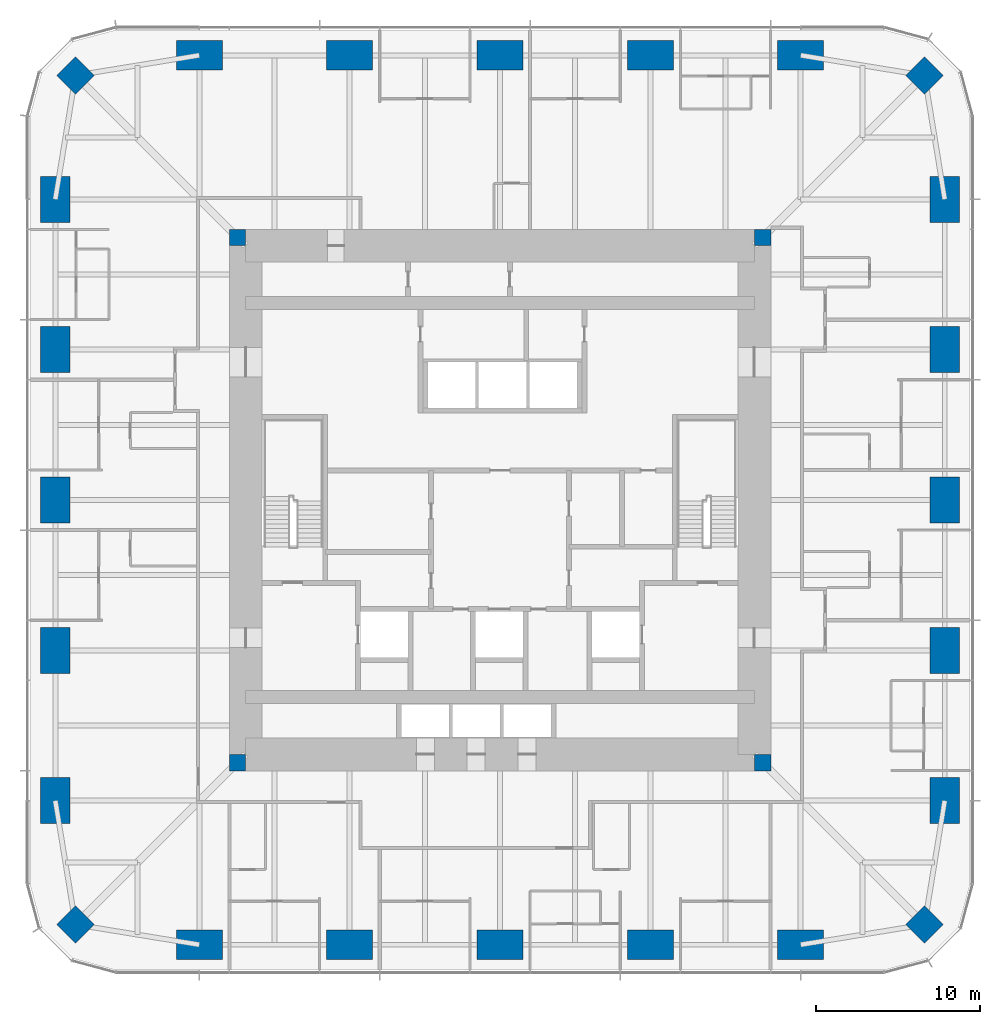
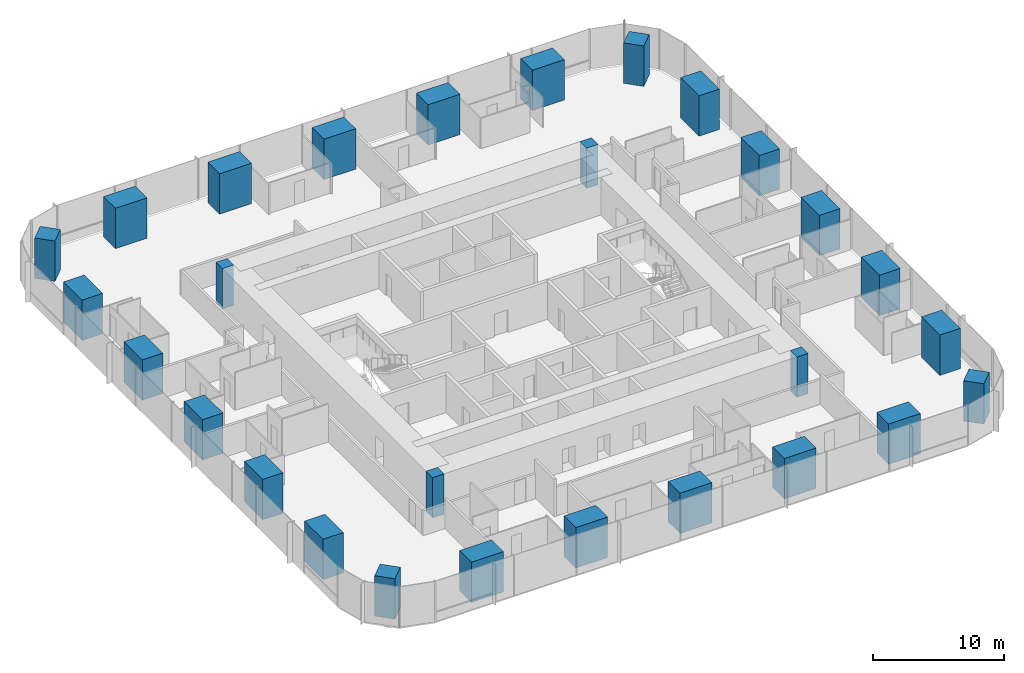
# One storey, part 1 of 13: 28 columns.
"""IFC4 building model written with IfcOpenShell, lengths in metres."""

import ifcopenshell
import ifcopenshell.guid

model = None  # the IFC model being written
_history = None  # IfcOwnerHistory: only IFC2X3 demands one
_inside = {}  # id of a spatial element -> (the spatial element, [elements in it])
_under = {}  # id of a project, library or spatial element -> (it, [spatial elements below it])
_declared = {}  # id of a project -> (the project, [libraries it declares])
_typed = {}  # id of a type object -> (the type object, [elements of that type])
_made_of = {}  # id of a material, layer set ... -> (it, [elements and type objects made of it])


def new_model(schema):
    """Start an empty IFC model of exactly this schema.

    Asked for "IFC4X3", IfcOpenShell would pick the latest addendum, in which some entities
    have other attributes; the version numbers below select the first issue.
    IFC2X3 requires an IfcOwnerHistory on every rooted entity: one is made here for all.
    """
    global model, _history
    if schema == "IFC4X3":
        model = ifcopenshell.file(schema_version=(4, 3, 0, 0))
    else:
        model = ifcopenshell.file(schema=schema)
    _inside.clear()
    _under.clear()
    _declared.clear()
    _typed.clear()
    _made_of.clear()
    _history = None
    if model.schema == "IFC2X3":
        org = make("IfcOrganization", Name="unknown")
        user = make(
            "IfcPersonAndOrganization",
            ThePerson=make("IfcPerson", FamilyName="unknown"),
            TheOrganization=org,
        )
        app = make(
            "IfcApplication",
            ApplicationDeveloper=org,
            Version="unknown",
            ApplicationFullName="unknown",
            ApplicationIdentifier="unknown",
        )
        _history = make(
            "IfcOwnerHistory",
            OwningUser=user,
            OwningApplication=app,
            ChangeAction="ADDED",
            CreationDate=0,
        )
    return model


def make(cls, **values):
    """One entity of the class cls with the attributes given. An attribute that is None is left unset."""
    return model.create_entity(
        cls, **{name: value for name, value in values.items() if value is not None}
    )


def rooted(cls, **values):
    """An entity with a GlobalId (a new one), such as an element, a storey or a relation."""
    return make(cls, GlobalId=ifcopenshell.guid.new(), OwnerHistory=_history, **values)


def si_unit(unit_type, name, prefix=None):
    """IfcSIUnit, for example si_unit("LENGTHUNIT", "METRE", prefix="MILLI")."""
    return make("IfcSIUnit", UnitType=unit_type, Prefix=prefix, Name=name)


def assignment(units):
    """IfcUnitAssignment: the units of a project."""
    return None if units is None else make("IfcUnitAssignment", Units=units)


def point(xyz):
    """IfcCartesianPoint."""
    return None if xyz is None else make("IfcCartesianPoint", Coordinates=xyz)


def direction(xyz):
    """IfcDirection."""
    return None if xyz is None else make("IfcDirection", DirectionRatios=xyz)


def frame(location, z_axis=None, x_axis=None):
    """IfcAxis2Placement3D, a coordinate frame: its origin and axes. An axis left out is left unset."""
    return make(
        "IfcAxis2Placement3D",
        Location=point(location),
        Axis=direction(z_axis),
        RefDirection=direction(x_axis),
    )


def frame_2d(location, x_axis=None):
    """IfcAxis2Placement2D, a coordinate frame in the plane: its origin and x axis."""
    return make(
        "IfcAxis2Placement2D", Location=point(location), RefDirection=direction(x_axis)
    )


def origin():
    """The frame at (0, 0, 0) with its axes left unset."""
    return frame((0.0, 0.0, 0.0))


def origin_2d():
    """The frame at (0, 0) in the plane with its x axis left unset."""
    return frame_2d((0.0, 0.0))


def place(relative_to, where):
    """IfcLocalPlacement: puts the frame where relative to a parent placement (None: the world)."""
    return make(
        "IfcLocalPlacement", PlacementRelTo=relative_to, RelativePlacement=where
    )


def context(
    kind, dimensions, precision=None, world=None, true_north=None, identifier=None
):
    """IfcGeometricRepresentationContext, for example the 3D "Model" context."""
    return make(
        "IfcGeometricRepresentationContext",
        ContextIdentifier=identifier,
        ContextType=kind,
        CoordinateSpaceDimension=dimensions,
        Precision=precision,
        WorldCoordinateSystem=world,
        TrueNorth=true_north,
    )


def subcontext(parent, identifier, kind, view, scale=None):
    """IfcGeometricRepresentationSubContext, for example "Body" below "Model"."""
    return make(
        "IfcGeometricRepresentationSubContext",
        ContextIdentifier=identifier,
        ContextType=kind,
        ParentContext=parent,
        TargetScale=scale,
        TargetView=view,
    )


def project(units=None, contexts=None):
    """IfcProject with its units and contexts."""
    return rooted(
        "IfcProject",
        Name="project",
        RepresentationContexts=contexts,
        UnitsInContext=assignment(units),
    )


def spatial(cls, under=None, at=None, **own):
    """A site, building, storey or space (cls), placed at a placement, below another one or the project."""
    s = rooted(cls, ObjectPlacement=at, **own)
    if under is not None:
        _under.setdefault(under.id(), (under, []))[1].append(s)
    return s


def profile(cls, at=None, kind="AREA", **sizes):
    """A parametric profile (cls). Its sizes go by their IFC names, for example OverallWidth=200.0."""
    return make(cls, ProfileType=kind, Position=at, **sizes)


def rectangle(**sizes):
    """IfcRectangleProfileDef."""
    return profile("IfcRectangleProfileDef", **sizes)


def extrude(swept, where, along, depth):
    """IfcExtrudedAreaSolid: the profile swept, set in the frame where, extruded along a direction by depth."""
    return make(
        "IfcExtrudedAreaSolid",
        SweptArea=swept,
        Position=where,
        ExtrudedDirection=direction(along),
        Depth=depth,
    )


def shape(context_of_items, identifier, shape_type, items):
    """IfcShapeRepresentation: the items that make up one representation, for example the "Body"."""
    return make(
        "IfcShapeRepresentation",
        ContextOfItems=context_of_items,
        RepresentationIdentifier=identifier,
        RepresentationType=shape_type,
        Items=items,
    )


def material(Name=None, Category=None):
    """IfcMaterial."""
    return make("IfcMaterial", Name=Name, Category=Category)


def material_profile(
    of_material, cross_section, Name=None, Category=None, Priority=None
):
    """IfcMaterialProfile: a cross section and its material."""
    return make(
        "IfcMaterialProfile",
        Name=Name,
        Material=of_material,
        Profile=cross_section,
        Priority=Priority,
        Category=Category,
    )


def profile_set(profiles, Name=None, composite=None):
    """IfcMaterialProfileSet."""
    return make(
        "IfcMaterialProfileSet",
        Name=Name,
        MaterialProfiles=profiles,
        CompositeProfile=composite,
    )


def made_of(thing, what):
    """Note that an element or type object is made of a material, layer set ...; save() writes the relation."""
    if what is not None:
        _made_of.setdefault(what.id(), (what, []))[1].append(thing)
    return thing


def type_object(cls, material=None, **own):
    """A type object (cls), such as IfcWallType, which elements share."""
    return made_of(rooted(cls, **own), material)


def element(
    cls,
    number,
    at=None,
    inside=None,
    cuts=None,
    type_object=None,
    material=None,
    context=None,
    identifier="Body",
    shape_type=None,
    held_by="IfcProductDefinitionShape",
    body=None,
    shapes=None,
    **own,
):
    """One element of the class cls, such as IfcWall. Its Tag is "e" and its number.

    at: its placement. inside: the storey or other place that contains it. cuts: it is an
    opening in that element (IfcRelVoidsElement). A single representation is given by context,
    identifier, shape_type and body (its items); several are given by shapes. held_by: the class
    of the entity that holds the representations. save() writes the other relations.
    """
    e = rooted(cls, Tag="e%d" % number, ObjectPlacement=at, **own)
    if body is not None:
        shapes = [shape(context, identifier, shape_type, body)]
    if shapes is not None:
        e.Representation = make(held_by, Representations=shapes)
    if inside is not None:
        _inside.setdefault(inside.id(), (inside, []))[1].append(e)
    if cuts is not None:
        rooted(
            "IfcRelVoidsElement", RelatingBuildingElement=cuts, RelatedOpeningElement=e
        )
    if type_object is not None:
        _typed.setdefault(type_object.id(), (type_object, []))[1].append(e)
    return made_of(e, material)


def aggregate(whole, parts):
    """IfcRelAggregates: a whole, such as a stair, and the parts it consists of."""
    return rooted("IfcRelAggregates", RelatingObject=whole, RelatedObjects=parts)


def save(model, path):
    """Write the relations noted so far, then the file.

    IfcRelAggregates (storeys below a building ...), IfcRelContainedInSpatialStructure (elements
    in a storey), IfcRelDefinesByType, IfcRelAssociatesMaterial and IfcRelDeclares: one each for
    every whole, place, type object, material and project.
    """
    for whole, parts in _under.values():
        aggregate(whole, parts)
    for where, things in _inside.values():
        rooted(
            "IfcRelContainedInSpatialStructure",
            RelatedElements=things,
            RelatingStructure=where,
        )
    for kind, things in _typed.values():
        rooted("IfcRelDefinesByType", RelatedObjects=things, RelatingType=kind)
    for what, things in _made_of.values():
        rooted("IfcRelAssociatesMaterial", RelatedObjects=things, RelatingMaterial=what)
    for by, libraries in _declared.values():
        rooted("IfcRelDeclares", RelatingContext=by, RelatedDefinitions=libraries)
    model.write(path)


model = new_model("IFC4")

# Units and contexts
model_context = context("Model", 3, precision=1e-05, world=origin(), true_north=direction((0.0, 1.0)))
body_context = subcontext(model_context, "Body", "Model", "MODEL_VIEW")
ifc_project = project(units=[si_unit("LENGTHUNIT", "METRE"), si_unit("AREAUNIT", "SQUARE_METRE"), si_unit("VOLUMEUNIT", "CUBIC_METRE"), si_unit("PLANEANGLEUNIT", "RADIAN"), si_unit("MASSUNIT", "GRAM", prefix="KILO")], contexts=[model_context])

# Site, building, storey
site_placement = place(None, origin())
site = spatial("IfcSite", under=ifc_project, at=site_placement, CompositionType="ELEMENT")
building_placement = place(site_placement, origin())
building = spatial("IfcBuilding", under=site, at=building_placement, Name="Khuree Lantern Residences", CompositionType="ELEMENT")
storey_placement = place(building_placement, frame((0.0, 0.0, 141.0)))
storey = spatial("IfcBuildingStorey", under=building, at=storey_placement, Name="L35", CompositionType="ELEMENT", Elevation=141.0)

# Columns
ifc_material = material(Name="Concrete C70/85", Category="concrete")
ifc_material_profile_1 = material_profile(ifc_material, rectangle(XDim=1.60009765625, YDim=1.60009765625, at=origin_2d()), Name="RC 1600X1600")
ifc_profile_set_1 = profile_set([ifc_material_profile_1], Name="Concrete C70/85")
column_type_1 = type_object("IfcColumnType", Name="CC1600A PERIMETER CORNER COLUMN RC 1600X1600", PredefinedType="COLUMN", material=ifc_profile_set_1)
for number, where, z_axis, x_axis, name in (
    (1, (25.869873046875, 25.869873046875, 0.0), (0.0, 0.0, 1.0), (0.707106781187, -0.707106781187, 0.0), "Perimeter column NE"),
    (2, (25.869873046875, -25.869873046875, 0.0), (0.0, 0.0, 1.0), (0.707106781187, 0.707106781187, 0.0), "Perimeter column SE"),
    (3, (-25.869873046875, -25.869873046875, 0.0), (0.0, 0.0, 1.0), (0.707106781187, -0.707106781187, 0.0), "Perimeter column SW"),
    (4, (-25.869873046875, 25.869873046875, 0.0), (0.0, 0.0, 1.0), (0.707106781187, 0.707106781187, 0.0), "Perimeter column NW"),
):
    element("IfcColumn", number, at=place(storey_placement, frame(where, z_axis=z_axis, x_axis=x_axis)), inside=storey, type_object=column_type_1, Name=name, PredefinedType="COLUMN", context=body_context, shape_type="SweptSolid", body=[
        extrude(rectangle(XDim=1.60009765625, YDim=1.60009765625, at=origin_2d()), origin(), (0.0, 0.0, 1.0), 3.75),
    ])
ifc_material_profile_2 = material_profile(ifc_material, rectangle(XDim=1.0, YDim=1.0, at=origin_2d()), Name="RC 1000X1000")
ifc_profile_set_2 = profile_set([ifc_material_profile_2], Name="Concrete C70/85")
column_type_2 = type_object("IfcColumnType", Name="CP1000-C70 CORE CORNER PIER C70 RC 1000X1000", PredefinedType="COLUMN", material=ifc_profile_set_2)
for number, where, z_axis, x_axis, name in (
    (5, (16.0, 16.0, -0.25), (0.0, 0.0, 1.0), (1.0, 0.0, 0.0), "Core corner pier NE"),
    (6, (-16.0, 16.0, -0.25), (0.0, 0.0, 1.0), (1.0, 0.0, 0.0), "Core corner pier NW"),
    (7, (-16.0, -16.0, -0.25), (0.0, 0.0, 1.0), (1.0, 0.0, 0.0), "Core corner pier SW"),
    (8, (16.0, -16.0, -0.25), (0.0, 0.0, 1.0), (1.0, 0.0, 0.0), "Core corner pier SE"),
):
    element("IfcColumn", number, at=place(storey_placement, frame(where, z_axis=z_axis, x_axis=x_axis)), inside=storey, type_object=column_type_2, Name=name, PredefinedType="COLUMN", context=body_context, shape_type="SweptSolid", body=[
        extrude(rectangle(XDim=1.0, YDim=1.0, at=origin_2d()), origin(), (0.0, 0.0, 1.0), 3.75),
    ])
ifc_material_profile_3 = material_profile(ifc_material, rectangle(XDim=2.800048828125, YDim=1.800048828125, at=origin_2d()), Name="RC 2800X1800")
ifc_profile_set_3 = profile_set([ifc_material_profile_3], Name="Concrete C70/85")
column_type_3 = type_object("IfcColumnType", Name="PC2 PERIMETER COLUMN RC 2800X1800", PredefinedType="COLUMN", material=ifc_profile_set_3)
for number, where, z_axis, x_axis, name in (
    (9, (-18.320068359375, 27.10009765625, 0.0), (0.0, 0.0, 1.0), (1.0, 0.0, 0.0), "Perimeter column N1"),
    (10, (-9.159912109375, 27.10009765625, 0.0), (0.0, 0.0, 1.0), (1.0, 0.0, 0.0), "Perimeter column N2"),
    (11, (0.0, 27.10009765625, 0.0), (0.0, 0.0, 1.0), (1.0, 0.0, 0.0), "Perimeter column N3"),
    (12, (9.159912109375, 27.10009765625, 0.0), (0.0, 0.0, 1.0), (1.0, 0.0, 0.0), "Perimeter column N4"),
    (13, (18.320068359375, 27.10009765625, 0.0), (0.0, 0.0, 1.0), (1.0, 0.0, 0.0), "Perimeter column N5"),
    (14, (27.10009765625, 18.320068359375, 0.0), (0.0, 0.0, 1.0), (0.0, 1.0, 0.0), "Perimeter column E1"),
    (15, (27.10009765625, 9.159912109375, 0.0), (0.0, 0.0, 1.0), (0.0, 1.0, 0.0), "Perimeter column E2"),
    (16, (27.10009765625, 0.0, 0.0), (0.0, 0.0, 1.0), (0.0, 1.0, 0.0), "Perimeter column E3"),
    (17, (27.10009765625, -9.159912109375, 0.0), (0.0, 0.0, 1.0), (0.0, 1.0, 0.0), "Perimeter column E4"),
    (18, (27.10009765625, -18.320068359375, 0.0), (0.0, 0.0, 1.0), (0.0, 1.0, 0.0), "Perimeter column E5"),
    (19, (18.320068359375, -27.10009765625, 0.0), (0.0, 0.0, 1.0), (1.0, 0.0, 0.0), "Perimeter column S1"),
    (20, (9.159912109375, -27.10009765625, 0.0), (0.0, 0.0, 1.0), (1.0, 0.0, 0.0), "Perimeter column S2"),
    (21, (0.0, -27.10009765625, 0.0), (0.0, 0.0, 1.0), (1.0, 0.0, 0.0), "Perimeter column S3"),
    (22, (-9.159912109375, -27.10009765625, 0.0), (0.0, 0.0, 1.0), (1.0, 0.0, 0.0), "Perimeter column S4"),
    (23, (-18.320068359375, -27.10009765625, 0.0), (0.0, 0.0, 1.0), (1.0, 0.0, 0.0), "Perimeter column S5"),
    (24, (-27.10009765625, -18.320068359375, 0.0), (0.0, 0.0, 1.0), (0.0, 1.0, 0.0), "Perimeter column W1"),
    (25, (-27.10009765625, -9.159912109375, 0.0), (0.0, 0.0, 1.0), (0.0, 1.0, 0.0), "Perimeter column W2"),
    (26, (-27.10009765625, 0.0, 0.0), (0.0, 0.0, 1.0), (0.0, 1.0, 0.0), "Perimeter column W3"),
    (27, (-27.10009765625, 9.159912109375, 0.0), (0.0, 0.0, 1.0), (0.0, 1.0, 0.0), "Perimeter column W4"),
    (28, (-27.10009765625, 18.320068359375, 0.0), (0.0, 0.0, 1.0), (0.0, 1.0, 0.0), "Perimeter column W5"),
):
    element("IfcColumn", number, at=place(storey_placement, frame(where, z_axis=z_axis, x_axis=x_axis)), inside=storey, type_object=column_type_3, Name=name, PredefinedType="COLUMN", context=body_context, shape_type="SweptSolid", body=[
        extrude(rectangle(XDim=2.800048828125, YDim=1.800048828125, at=origin_2d()), origin(), (0.0, 0.0, 1.0), 3.75),
    ])

save(model, "model.ifc")
